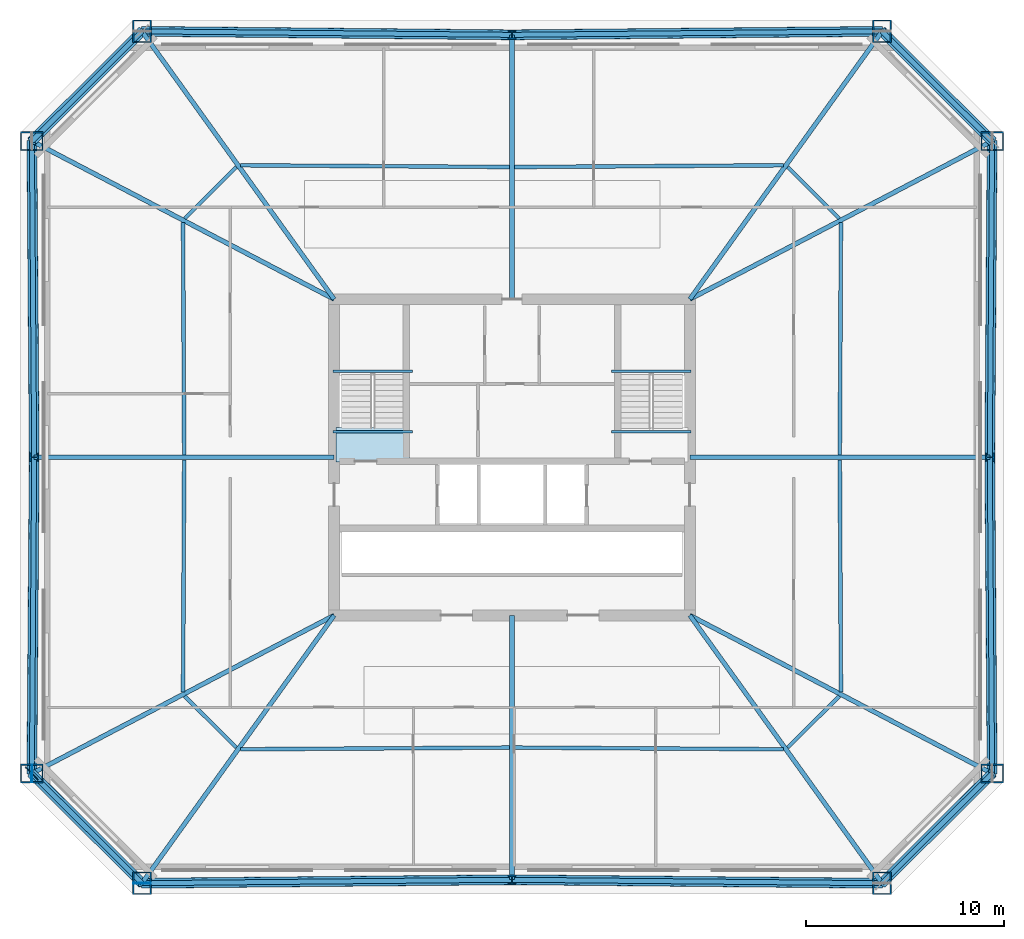
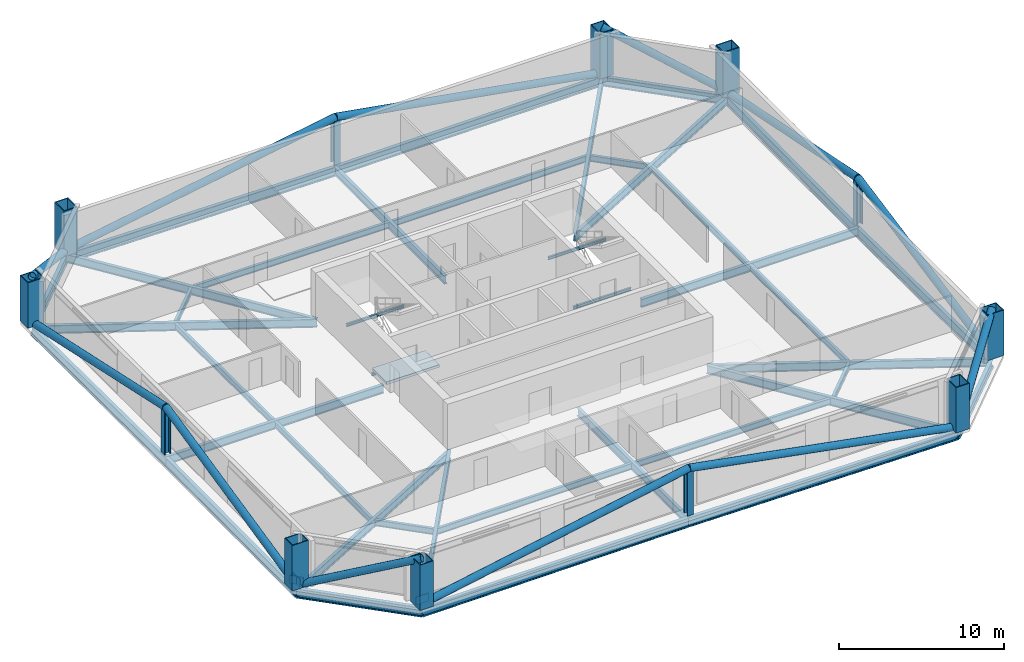
# One storey, part 1 of 6: 40 beams, 12 columns, 12 members, 3 plates, 1 slab, 1 element without a shape of its own.
"""IFC4 building model written with IfcOpenShell, lengths in metres."""

from ifc_helpers import new_model, si_unit, direction, frame, origin, origin_2d, place, context, subcontext, project, spatial, polyline, rectangle, hollow_rectangle, hollow_circle, i_section, outline, extrude, material, layer, layer_set, material_profile, profile_set, type_object, element, aggregate, save


model = new_model("IFC4")

# Units and contexts
model_context = context("Model", 3, precision=1e-05, world=origin(), true_north=direction((0.0, 1.0)))
body_context = subcontext(model_context, "Body", "Model", "MODEL_VIEW")
ifc_project = project(units=[si_unit("LENGTHUNIT", "METRE"), si_unit("AREAUNIT", "SQUARE_METRE"), si_unit("VOLUMEUNIT", "CUBIC_METRE"), si_unit("PLANEANGLEUNIT", "RADIAN"), si_unit("MASSUNIT", "GRAM", prefix="KILO")], contexts=[model_context])

# Site, building, storey
site_placement = place(None, origin())
site = spatial("IfcSite", under=ifc_project, at=site_placement, CompositionType="ELEMENT")
building_placement = place(site_placement, origin())
building = spatial("IfcBuilding", under=site, at=building_placement, Name="Caelvoria Tower", CompositionType="ELEMENT")
storey_placement = place(building_placement, frame((0.0, 0.0, 95.199951171875)))
storey = spatial("IfcBuildingStorey", under=building, at=storey_placement, Name="L24", CompositionType="ELEMENT", Elevation=95.199951171875)

# Columns
ifc_material_1 = material(Name="Structural Steel ASTM A572 Gr.50", Category="steel")
ifc_material_profile_1 = material_profile(ifc_material_1, hollow_rectangle(XDim=0.949951171875, YDim=1.14990234375, WallThickness=0.06005859375, at=origin_2d()), Name="Structural Steel ASTM A572 Gr.50")
ifc_profile_set_1 = profile_set([ifc_material_profile_1], Name="BOX1150X950X60 - Structural Steel ASTM A572 Gr.50")
column_type_1 = type_object("IfcColumnType", Name="Mega Box Column 1150x950x60", PredefinedType="COLUMN", material=ifc_profile_set_1)
for number, where, z_axis, x_axis, name in (
    (1, (27.272216796875, 10.443603515625, 0.0), (0.0, 0.0, 1.0), (1.0, 0.0, 0.0), "Perimeter Megaframe Column L24-P00"),
    (2, (64.727783203125, 10.443603515625, 0.0), (0.0, 0.0, 1.0), (1.0, 0.0, 0.0), "Perimeter Megaframe Column L24-P02"),
    (3, (70.298583984375, 15.99609375, 0.0), (0.0, 0.0, 1.0), (0.0, 1.0, 0.0), "Perimeter Megaframe Column L24-P03"),
    (4, (70.298583984375, 48.00390625, 0.0), (0.0, 0.0, 1.0), (0.0, 1.0, 0.0), "Perimeter Megaframe Column L24-P05"),
    (5, (64.727783203125, 53.556396484375, 0.0), (0.0, 0.0, 1.0), (1.0, 0.0, 0.0), "Perimeter Megaframe Column L24-P06"),
    (6, (27.272216796875, 53.556396484375, 0.0), (0.0, 0.0, 1.0), (1.0, 0.0, 0.0), "Perimeter Megaframe Column L24-P08"),
    (7, (21.701416015625, 48.00390625, 0.0), (0.0, 0.0, 1.0), (0.0, 1.0, 0.0), "Perimeter Megaframe Column L24-P09"),
    (8, (21.701416015625, 15.99609375, 0.0), (0.0, 0.0, 1.0), (0.0, 1.0, 0.0), "Perimeter Megaframe Column L24-P11"),
):
    element("IfcColumn", number, at=place(storey_placement, frame(where, z_axis=z_axis, x_axis=x_axis)), inside=storey, type_object=column_type_1, Name=name, PredefinedType="COLUMN", context=body_context, shape_type="SweptSolid", body=[
        extrude(hollow_rectangle(XDim=0.949951171875, YDim=1.14990234375, WallThickness=0.06005859375, at=origin_2d()), origin(), (0.0, 0.0, 1.0), 3.358154296875),
    ])
ifc_material_2 = material(Name="Structural Steel ASTM A913 Gr.65", Category="steel")
ifc_material_profile_2 = material_profile(ifc_material_2, i_section(OverallWidth=0.41796875, OverallDepth=0.455078125, WebThickness=0.0419921875, FlangeThickness=0.067626953125, FilletRadius=0.02490234375, at=origin_2d()), Name="Structural Steel ASTM A913 Gr.65")
ifc_profile_set_2 = profile_set([ifc_material_profile_2], Name="W360X551 - Structural Steel ASTM A913 Gr.65")
column_type_2 = type_object("IfcColumnType", Name="Mid Frame Column W360X551", PredefinedType="COLUMN", material=ifc_profile_set_2)
for number, where, z_axis, x_axis, name in (
    (9, (46.0, 10.6201171875, 0.0), (0.0, 0.0, 1.0), (1.0, 0.0, 0.0), "Perimeter Megaframe Column L24-P01"),
    (10, (70.179931640625, 32.0, 0.0), (0.0, 0.0, 1.0), (0.0, 1.0, 0.0), "Perimeter Megaframe Column L24-P04"),
    (11, (46.0, 53.3798828125, 0.0), (0.0, 0.0, 1.0), (1.0, 0.0, 0.0), "Perimeter Megaframe Column L24-P07"),
    (12, (21.820068359375, 32.0, 0.0), (0.0, 0.0, 1.0), (0.0, 1.0, 0.0), "Perimeter Megaframe Column L24-P10"),
):
    element("IfcColumn", number, at=place(storey_placement, frame(where, z_axis=z_axis, x_axis=x_axis)), inside=storey, type_object=column_type_2, Name=name, PredefinedType="COLUMN", context=body_context, shape_type="SweptSolid", body=[
        extrude(i_section(OverallWidth=0.41796875, OverallDepth=0.455078125, WebThickness=0.0419921875, FlangeThickness=0.067626953125, FilletRadius=0.02490234375, at=origin_2d()), origin(), (0.0, 0.0, 1.0), 3.358154296875),
    ])

# Beams
ifc_material_3 = material(Name="Structural Steel ASTM A992 Gr.50", Category="steel")
ifc_material_profile_3 = material_profile(ifc_material_3, i_section(OverallWidth=0.134033203125, OverallDepth=0.2099609375, WebThickness=0.00634765625, FlangeThickness=0.01025390625, FilletRadius=0.010009765625, at=origin_2d()), Name="Structural Steel ASTM A992 Gr.50")
ifc_profile_set_3 = profile_set([ifc_material_profile_3], Name="W200X31.3 - Structural Steel ASTM A992 Gr.50")
beam_type_1 = type_object("IfcBeamType", Name="Canopy Edge Trim Beam W200X31.3", PredefinedType="BEAM", material=ifc_profile_set_3)
for number, where, z_axis, x_axis, name in (
    (13, (36.929931640625, 36.35009765625, 1.4951171875), (1.0, 0.0, 0.0), (0.0, 1.0, 0.0), "ST-01 Half-Landing Support Beam L24"),
    (14, (36.929931640625, 33.300048828125, -0.304931640625), (1.0, 0.0, 0.0), (0.0, 1.0, 0.0), "ST-01 Floor-Landing Support Beam L24"),
    (15, (51.030029296875, 36.35009765625, 1.4951171875), (1.0, 0.0, 0.0), (0.0, 1.0, 0.0), "ST-02 Half-Landing Support Beam L24"),
    (16, (51.030029296875, 33.300048828125, -0.304931640625), (1.0, 0.0, 0.0), (0.0, 1.0, 0.0), "ST-02 Floor-Landing Support Beam L24"),
):
    element("IfcBeam", number, at=place(storey_placement, frame(where, z_axis=z_axis, x_axis=x_axis)), inside=storey, type_object=beam_type_1, Name=name, PredefinedType="BEAM", context=body_context, shape_type="SweptSolid", body=[
        extrude(i_section(OverallWidth=0.134033203125, OverallDepth=0.2099609375, WebThickness=0.00634765625, FlangeThickness=0.01025390625, FilletRadius=0.010009765625, at=origin_2d()), origin(), (0.0, 0.0, 1.0), 4.0400390625),
    ])

# Members
ifc_material_profile_4 = material_profile(ifc_material_1, hollow_circle(Radius=0.25390625, WallThickness=0.02001953125, at=origin_2d()), Name="Structural Steel ASTM A572 Gr.50")
ifc_profile_set_4 = profile_set([ifc_material_profile_4], Name="CHS508X20 - Structural Steel ASTM A572 Gr.50")
member_type = type_object("IfcMemberType", Name="Mid Perimeter Mega Brace CHS508X20", PredefinedType="BRACE", material=ifc_profile_set_4)
for number, where, z_axis, x_axis, name in (
    (17, (64.727783203125, 10.443603515625, 0.0), (0.651324965211, 0.649184139004, 0.392855881155), (-0.705941824609, 0.708269821656, 0.0), "Perimeter Chamfer Mega Brace L24 SE"),
    (18, (70.298583984375, 48.00390625, 0.0), (-0.651324965211, 0.649184139004, 0.392855881155), (-0.705941824609, -0.708269821656, 0.0), "Perimeter Chamfer Mega Brace L24 NE"),
    (19, (27.272216796875, 53.556396484375, 0.0), (-0.651324965211, -0.649184139004, 0.392855881155), (0.705941824609, -0.708269821656, 0.0), "Perimeter Chamfer Mega Brace L24 NW"),
    (20, (21.701416015625, 15.99609375, 0.0), (0.651324965211, -0.649184139004, 0.392855881155), (0.705941824609, 0.708269821656, 0.0), "Perimeter Chamfer Mega Brace L24 SW"),
):
    element("IfcMember", number, at=place(storey_placement, frame(where, z_axis=z_axis, x_axis=x_axis)), inside=storey, type_object=member_type, Name=name, PredefinedType="BRACE", context=body_context, shape_type="SweptSolid", body=[
        extrude(hollow_circle(Radius=0.25390625, WallThickness=0.02001953125, at=origin_2d()), origin(), (0.0, 0.0, 1.0), 8.552978515625),
    ])
for number, where, z_axis, x_axis, name in (
    (21, (27.272216796875, 10.443603515625, 0.0), (0.984240636902, 0.009276694788, 0.176590802718), (-0.009424811799, 0.999955585475, 0.0), "Perimeter Cardinal Mega Brace L24 SA"),
    (22, (64.727783203125, 10.443603515625, 0.0), (-0.984240636902, 0.009276694788, 0.176590802718), (-0.009424811799, -0.999955585475, 0.0), "Perimeter Cardinal Mega Brace L24 SB"),
):
    element("IfcMember", number, at=place(storey_placement, frame(where, z_axis=z_axis, x_axis=x_axis)), inside=storey, type_object=member_type, Name=name, PredefinedType="BRACE", context=body_context, shape_type="SweptSolid", body=[
        extrude(hollow_circle(Radius=0.25390625, WallThickness=0.02001953125, at=origin_2d()), origin(), (0.0, 0.0, 1.0), 19.027587890625),
    ])
for number, where, z_axis, x_axis, name in (
    (23, (70.298583984375, 15.99609375, 0.0), (-0.007255573296, 0.978636503475, 0.205470072573), (-0.999972517721, -0.007413757683, 0.0), "Perimeter Cardinal Mega Brace L24 EA"),
    (24, (70.298583984375, 48.00390625, 0.0), (-0.007255573296, -0.978636503475, 0.205470072573), (0.999972517721, -0.007413757683, 0.0), "Perimeter Cardinal Mega Brace L24 EB"),
):
    element("IfcMember", number, at=place(storey_placement, frame(where, z_axis=z_axis, x_axis=x_axis)), inside=storey, type_object=member_type, Name=name, PredefinedType="BRACE", context=body_context, shape_type="SweptSolid", body=[
        extrude(hollow_circle(Radius=0.25390625, WallThickness=0.02001953125, at=origin_2d()), origin(), (0.0, 0.0, 1.0), 16.353271484375),
    ])
for number, where, z_axis, x_axis, name in (
    (25, (64.727783203125, 53.556396484375, 0.0), (-0.984240636902, -0.009276694788, 0.176590802718), (0.009424811799, -0.999955585475, 0.0), "Perimeter Cardinal Mega Brace L24 NA"),
    (26, (27.272216796875, 53.556396484375, 0.0), (0.984240636902, -0.009276694788, 0.176590802718), (0.009424811799, 0.999955585475, 0.0), "Perimeter Cardinal Mega Brace L24 NB"),
):
    element("IfcMember", number, at=place(storey_placement, frame(where, z_axis=z_axis, x_axis=x_axis)), inside=storey, type_object=member_type, Name=name, PredefinedType="BRACE", context=body_context, shape_type="SweptSolid", body=[
        extrude(hollow_circle(Radius=0.25390625, WallThickness=0.02001953125, at=origin_2d()), origin(), (0.0, 0.0, 1.0), 19.027587890625),
    ])
for number, where, z_axis, x_axis, name in (
    (27, (21.701416015625, 48.00390625, 0.0), (0.007255573296, -0.978636503475, 0.205470072573), (0.999972517721, 0.007413757683, 0.0), "Perimeter Cardinal Mega Brace L24 WA"),
    (28, (21.701416015625, 15.99609375, 0.0), (0.007255573296, 0.978636503475, 0.205470072573), (-0.999972517721, 0.007413757683, 0.0), "Perimeter Cardinal Mega Brace L24 WB"),
):
    element("IfcMember", number, at=place(storey_placement, frame(where, z_axis=z_axis, x_axis=x_axis)), inside=storey, type_object=member_type, Name=name, PredefinedType="BRACE", context=body_context, shape_type="SweptSolid", body=[
        extrude(hollow_circle(Radius=0.25390625, WallThickness=0.02001953125, at=origin_2d()), origin(), (0.0, 0.0, 1.0), 16.353271484375),
    ])

# Beams
ifc_material_profile_5 = material_profile(ifc_material_3, i_section(OverallWidth=0.25390625, OverallDepth=0.68798828125, WebThickness=0.01318359375, FlangeThickness=0.02099609375, FilletRadius=0.01904296875, at=origin_2d()), Name="Structural Steel ASTM A992 Gr.50")
ifc_profile_set_5 = profile_set([ifc_material_profile_5], Name="W690X152 - Structural Steel ASTM A992 Gr.50")
beam_type_2 = type_object("IfcBeamType", Name="Perimeter Spandrel Girder W690X152", PredefinedType="BEAM", material=ifc_profile_set_5)
for number, where, z_axis, x_axis, name in (
    (29, (27.272216796875, 10.443603515625, -0.583984375), (0.999955585475, 0.009424811799, 0.0), (-0.009424811799, 0.999955585475, 0.0), "Perimeter Spandrel Girder L24-00"),
    (30, (46.0, 10.6201171875, -0.583984375), (0.999955585475, -0.009424811799, 0.0), (0.009424811799, 0.999955585475, 0.0), "Perimeter Spandrel Girder L24-01"),
):
    element("IfcBeam", number, at=place(storey_placement, frame(where, z_axis=z_axis, x_axis=x_axis)), inside=storey, type_object=beam_type_2, Name=name, PredefinedType="BEAM", context=body_context, shape_type="SweptSolid", body=[
        extrude(i_section(OverallWidth=0.25390625, OverallDepth=0.68798828125, WebThickness=0.01318359375, FlangeThickness=0.02099609375, FilletRadius=0.01904296875, at=origin_2d()), origin(), (0.0, 0.0, 1.0), 18.728515625),
    ])
beam_1_placement = place(storey_placement, frame((64.727783203125, 10.443603515625, -0.583984375), z_axis=(0.708269821656, 0.705941824609, 0.0), x_axis=(-0.705941824609, 0.708269821656, 0.0)))
element("IfcBeam", 31, at=beam_1_placement, inside=storey, type_object=beam_type_2, Name="Perimeter Spandrel Girder L24-02", PredefinedType="BEAM", context=body_context, shape_type="SweptSolid", body=[
    extrude(i_section(OverallWidth=0.25390625, OverallDepth=0.68798828125, WebThickness=0.01318359375, FlangeThickness=0.02099609375, FilletRadius=0.01904296875, at=origin_2d()), origin(), (0.0, 0.0, 1.0), 7.865478515625),
])
for number, where, z_axis, x_axis, name in (
    (32, (70.298583984375, 15.99609375, -0.583984375), (-0.007413757683, 0.999972517721, 0.0), (-0.999972517721, -0.007413757683, 0.0), "Perimeter Spandrel Girder L24-03"),
    (33, (70.179931640625, 32.0, -0.583984375), (0.007413757683, 0.999972517721, 0.0), (-0.999972517721, 0.007413757683, 0.0), "Perimeter Spandrel Girder L24-04"),
):
    element("IfcBeam", number, at=place(storey_placement, frame(where, z_axis=z_axis, x_axis=x_axis)), inside=storey, type_object=beam_type_2, Name=name, PredefinedType="BEAM", context=body_context, shape_type="SweptSolid", body=[
        extrude(i_section(OverallWidth=0.25390625, OverallDepth=0.68798828125, WebThickness=0.01318359375, FlangeThickness=0.02099609375, FilletRadius=0.01904296875, at=origin_2d()), origin(), (0.0, 0.0, 1.0), 16.00439453125),
    ])
beam_2_placement = place(storey_placement, frame((70.298583984375, 48.00390625, -0.583984375), z_axis=(-0.708269821656, 0.705941824609, 0.0), x_axis=(-0.705941824609, -0.708269821656, 0.0)))
element("IfcBeam", 34, at=beam_2_placement, inside=storey, type_object=beam_type_2, Name="Perimeter Spandrel Girder L24-05", PredefinedType="BEAM", context=body_context, shape_type="SweptSolid", body=[
    extrude(i_section(OverallWidth=0.25390625, OverallDepth=0.68798828125, WebThickness=0.01318359375, FlangeThickness=0.02099609375, FilletRadius=0.01904296875, at=origin_2d()), origin(), (0.0, 0.0, 1.0), 7.865478515625),
])
for number, where, z_axis, x_axis, name in (
    (35, (64.727783203125, 53.556396484375, -0.583984375), (-0.999955585475, -0.009424811799, 0.0), (0.009424811799, -0.999955585475, 0.0), "Perimeter Spandrel Girder L24-06"),
    (36, (46.0, 53.3798828125, -0.583984375), (-0.999955585475, 0.009424811799, 0.0), (-0.009424811799, -0.999955585475, 0.0), "Perimeter Spandrel Girder L24-07"),
):
    element("IfcBeam", number, at=place(storey_placement, frame(where, z_axis=z_axis, x_axis=x_axis)), inside=storey, type_object=beam_type_2, Name=name, PredefinedType="BEAM", context=body_context, shape_type="SweptSolid", body=[
        extrude(i_section(OverallWidth=0.25390625, OverallDepth=0.68798828125, WebThickness=0.01318359375, FlangeThickness=0.02099609375, FilletRadius=0.01904296875, at=origin_2d()), origin(), (0.0, 0.0, 1.0), 18.728515625),
    ])
beam_3_placement = place(storey_placement, frame((27.272216796875, 53.556396484375, -0.583984375), z_axis=(-0.708269821656, -0.705941824609, 0.0), x_axis=(0.705941824609, -0.708269821656, 0.0)))
element("IfcBeam", 37, at=beam_3_placement, inside=storey, type_object=beam_type_2, Name="Perimeter Spandrel Girder L24-08", PredefinedType="BEAM", context=body_context, shape_type="SweptSolid", body=[
    extrude(i_section(OverallWidth=0.25390625, OverallDepth=0.68798828125, WebThickness=0.01318359375, FlangeThickness=0.02099609375, FilletRadius=0.01904296875, at=origin_2d()), origin(), (0.0, 0.0, 1.0), 7.865478515625),
])
for number, where, z_axis, x_axis, name in (
    (38, (21.701416015625, 48.00390625, -0.583984375), (0.007413757683, -0.999972517721, 0.0), (0.999972517721, 0.007413757683, 0.0), "Perimeter Spandrel Girder L24-09"),
    (39, (21.820068359375, 32.0, -0.583984375), (-0.007413757683, -0.999972517721, 0.0), (0.999972517721, -0.007413757683, 0.0), "Perimeter Spandrel Girder L24-10"),
):
    element("IfcBeam", number, at=place(storey_placement, frame(where, z_axis=z_axis, x_axis=x_axis)), inside=storey, type_object=beam_type_2, Name=name, PredefinedType="BEAM", context=body_context, shape_type="SweptSolid", body=[
        extrude(i_section(OverallWidth=0.25390625, OverallDepth=0.68798828125, WebThickness=0.01318359375, FlangeThickness=0.02099609375, FilletRadius=0.01904296875, at=origin_2d()), origin(), (0.0, 0.0, 1.0), 16.00439453125),
    ])
beam_4_placement = place(storey_placement, frame((21.701416015625, 15.99609375, -0.583984375), z_axis=(0.708269821656, -0.705941824609, 0.0), x_axis=(0.705941824609, 0.708269821656, 0.0)))
element("IfcBeam", 40, at=beam_4_placement, inside=storey, type_object=beam_type_2, Name="Perimeter Spandrel Girder L24-11", PredefinedType="BEAM", context=body_context, shape_type="SweptSolid", body=[
    extrude(i_section(OverallWidth=0.25390625, OverallDepth=0.68798828125, WebThickness=0.01318359375, FlangeThickness=0.02099609375, FilletRadius=0.01904296875, at=origin_2d()), origin(), (0.0, 0.0, 1.0), 7.865478515625),
])
ifc_material_profile_6 = material_profile(ifc_material_3, i_section(OverallWidth=0.22900390625, OverallDepth=0.612060546875, WebThickness=0.011962890625, FlangeThickness=0.01953125, FilletRadius=0.01806640625, at=origin_2d()), Name="Structural Steel ASTM A992 Gr.50")
ifc_profile_set_6 = profile_set([ifc_material_profile_6], Name="W610X125 - Structural Steel ASTM A992 Gr.50")
beam_type_3 = type_object("IfcBeamType", Name="Primary Radial Floor Girder W610X125", PredefinedType="BEAM", material=ifc_profile_set_6)
beam_5_placement = place(storey_placement, frame((37.0, 24.0, -0.5458984375), z_axis=(-0.583008463656, -0.812466080096, 0.0), x_axis=(0.812466080096, -0.583008463656, 0.0)))
element("IfcBeam", 41, at=beam_5_placement, inside=storey, type_object=beam_type_3, Name="Primary Floor Girder L24-00", PredefinedType="BEAM", context=body_context, shape_type="SweptSolid", body=[
    extrude(i_section(OverallWidth=0.22900390625, OverallDepth=0.612060546875, WebThickness=0.011962890625, FlangeThickness=0.01953125, FilletRadius=0.01806640625, at=origin_2d()), origin(), (0.0, 0.0, 1.0), 16.685546875),
])
beam_6_placement = place(storey_placement, frame((46.0, 24.0, -0.5458984375), z_axis=(0.0, -1.0, 0.0), x_axis=(1.0, 0.0, 0.0)))
element("IfcBeam", 42, at=beam_6_placement, inside=storey, type_object=beam_type_3, Name="Primary Floor Girder L24-01", PredefinedType="BEAM", context=body_context, shape_type="SweptSolid", body=[
    extrude(i_section(OverallWidth=0.22900390625, OverallDepth=0.612060546875, WebThickness=0.011962890625, FlangeThickness=0.01953125, FilletRadius=0.01806640625, at=origin_2d()), origin(), (0.0, 0.0, 1.0), 13.3798828125),
])
beam_7_placement = place(storey_placement, frame((55.0, 24.0, -0.5458984375), z_axis=(0.583008463656, -0.812466080096, 0.0), x_axis=(0.812466080096, 0.583008463656, 0.0)))
element("IfcBeam", 43, at=beam_7_placement, inside=storey, type_object=beam_type_3, Name="Primary Floor Girder L24-02", PredefinedType="BEAM", context=body_context, shape_type="SweptSolid", body=[
    extrude(i_section(OverallWidth=0.22900390625, OverallDepth=0.612060546875, WebThickness=0.011962890625, FlangeThickness=0.01953125, FilletRadius=0.01806640625, at=origin_2d()), origin(), (0.0, 0.0, 1.0), 16.685546875),
])
beam_8_placement = place(storey_placement, frame((55.0, 24.0, -0.5458984375), z_axis=(0.886060863891, -0.46356892204, 0.0), x_axis=(0.46356892204, 0.886060863891, 0.0)))
element("IfcBeam", 44, at=beam_8_placement, inside=storey, type_object=beam_type_3, Name="Primary Floor Girder L24-03", PredefinedType="BEAM", context=body_context, shape_type="SweptSolid", body=[
    extrude(i_section(OverallWidth=0.22900390625, OverallDepth=0.612060546875, WebThickness=0.011962890625, FlangeThickness=0.01953125, FilletRadius=0.01806640625, at=origin_2d()), origin(), (0.0, 0.0, 1.0), 17.265869140625),
])
beam_9_placement = place(storey_placement, frame((55.0, 32.0, -0.5458984375), z_axis=(1.0, 0.0, 0.0), x_axis=(0.0, 1.0, 0.0)))
element("IfcBeam", 45, at=beam_9_placement, inside=storey, type_object=beam_type_3, Name="Primary Floor Girder L24-04", PredefinedType="BEAM", context=body_context, shape_type="SweptSolid", body=[
    extrude(i_section(OverallWidth=0.22900390625, OverallDepth=0.612060546875, WebThickness=0.011962890625, FlangeThickness=0.01953125, FilletRadius=0.01806640625, at=origin_2d()), origin(), (0.0, 0.0, 1.0), 15.179931640625),
])
beam_10_placement = place(storey_placement, frame((55.0, 40.0, -0.5458984375), z_axis=(0.886060863891, 0.46356892204, 0.0), x_axis=(-0.46356892204, 0.886060863891, 0.0)))
element("IfcBeam", 46, at=beam_10_placement, inside=storey, type_object=beam_type_3, Name="Primary Floor Girder L24-05", PredefinedType="BEAM", context=body_context, shape_type="SweptSolid", body=[
    extrude(i_section(OverallWidth=0.22900390625, OverallDepth=0.612060546875, WebThickness=0.011962890625, FlangeThickness=0.01953125, FilletRadius=0.01806640625, at=origin_2d()), origin(), (0.0, 0.0, 1.0), 17.265869140625),
])
beam_11_placement = place(storey_placement, frame((55.0, 40.0, -0.5458984375), z_axis=(0.583008463656, 0.812466080096, 0.0), x_axis=(-0.812466080096, 0.583008463656, 0.0)))
element("IfcBeam", 47, at=beam_11_placement, inside=storey, type_object=beam_type_3, Name="Primary Floor Girder L24-06", PredefinedType="BEAM", context=body_context, shape_type="SweptSolid", body=[
    extrude(i_section(OverallWidth=0.22900390625, OverallDepth=0.612060546875, WebThickness=0.011962890625, FlangeThickness=0.01953125, FilletRadius=0.01806640625, at=origin_2d()), origin(), (0.0, 0.0, 1.0), 16.685546875),
])
beam_12_placement = place(storey_placement, frame((46.0, 40.0, -0.5458984375), z_axis=(0.0, 1.0, 0.0), x_axis=(-1.0, 0.0, 0.0)))
element("IfcBeam", 48, at=beam_12_placement, inside=storey, type_object=beam_type_3, Name="Primary Floor Girder L24-07", PredefinedType="BEAM", context=body_context, shape_type="SweptSolid", body=[
    extrude(i_section(OverallWidth=0.22900390625, OverallDepth=0.612060546875, WebThickness=0.011962890625, FlangeThickness=0.01953125, FilletRadius=0.01806640625, at=origin_2d()), origin(), (0.0, 0.0, 1.0), 13.3798828125),
])
beam_13_placement = place(storey_placement, frame((37.0, 40.0, -0.5458984375), z_axis=(-0.583008463656, 0.812466080096, 0.0), x_axis=(-0.812466080096, -0.583008463656, 0.0)))
element("IfcBeam", 49, at=beam_13_placement, inside=storey, type_object=beam_type_3, Name="Primary Floor Girder L24-08", PredefinedType="BEAM", context=body_context, shape_type="SweptSolid", body=[
    extrude(i_section(OverallWidth=0.22900390625, OverallDepth=0.612060546875, WebThickness=0.011962890625, FlangeThickness=0.01953125, FilletRadius=0.01806640625, at=origin_2d()), origin(), (0.0, 0.0, 1.0), 16.685546875),
])
beam_14_placement = place(storey_placement, frame((37.0, 40.0, -0.5458984375), z_axis=(-0.886060863891, 0.46356892204, 0.0), x_axis=(-0.46356892204, -0.886060863891, 0.0)))
element("IfcBeam", 50, at=beam_14_placement, inside=storey, type_object=beam_type_3, Name="Primary Floor Girder L24-09", PredefinedType="BEAM", context=body_context, shape_type="SweptSolid", body=[
    extrude(i_section(OverallWidth=0.22900390625, OverallDepth=0.612060546875, WebThickness=0.011962890625, FlangeThickness=0.01953125, FilletRadius=0.01806640625, at=origin_2d()), origin(), (0.0, 0.0, 1.0), 17.265869140625),
])
beam_15_placement = place(storey_placement, frame((37.0, 32.0, -0.5458984375), z_axis=(-1.0, 0.0, 0.0), x_axis=(0.0, -1.0, 0.0)))
element("IfcBeam", 51, at=beam_15_placement, inside=storey, type_object=beam_type_3, Name="Primary Floor Girder L24-10", PredefinedType="BEAM", context=body_context, shape_type="SweptSolid", body=[
    extrude(i_section(OverallWidth=0.22900390625, OverallDepth=0.612060546875, WebThickness=0.011962890625, FlangeThickness=0.01953125, FilletRadius=0.01806640625, at=origin_2d()), origin(), (0.0, 0.0, 1.0), 15.179931640625),
])
beam_16_placement = place(storey_placement, frame((37.0, 24.0, -0.5458984375), z_axis=(-0.886060863891, -0.46356892204, 0.0), x_axis=(0.46356892204, -0.886060863891, 0.0)))
element("IfcBeam", 52, at=beam_16_placement, inside=storey, type_object=beam_type_3, Name="Primary Floor Girder L24-11", PredefinedType="BEAM", context=body_context, shape_type="SweptSolid", body=[
    extrude(i_section(OverallWidth=0.22900390625, OverallDepth=0.612060546875, WebThickness=0.011962890625, FlangeThickness=0.01953125, FilletRadius=0.01806640625, at=origin_2d()), origin(), (0.0, 0.0, 1.0), 17.265869140625),
])
ifc_material_profile_7 = material_profile(ifc_material_3, i_section(OverallWidth=0.18994140625, OverallDepth=0.45703125, WebThickness=0.009033203125, FlangeThickness=0.014404296875, FilletRadius=0.014892578125, at=origin_2d()), Name="Structural Steel ASTM A992 Gr.50")
ifc_profile_set_7 = profile_set([ifc_material_profile_7], Name="W460X74 - Structural Steel ASTM A992 Gr.50")
beam_type_4 = type_object("IfcBeamType", Name="Secondary Floor Beam W460X74", PredefinedType="BEAM", material=ifc_profile_set_7)
for number, where, z_axis, x_axis, name in (
    (53, (32.260986328125, 17.22265625, -0.468505859375), (0.999979850181, 0.006348167548, 0.0), (-0.006348167548, 0.999979850181, 0.0), "Secondary Floor Beam L24-00"),
    (54, (46.125, 17.30908203125, -0.468505859375), (0.999979850181, -0.006348167548, 0.0), (0.006348167548, 0.999979850181, 0.0), "Secondary Floor Beam L24-01"),
):
    element("IfcBeam", number, at=place(storey_placement, frame(where, z_axis=z_axis, x_axis=x_axis)), inside=storey, type_object=beam_type_4, Name=name, PredefinedType="BEAM", context=body_context, shape_type="SweptSolid", body=[
        extrude(i_section(OverallWidth=0.18994140625, OverallDepth=0.45703125, WebThickness=0.009033203125, FlangeThickness=0.014404296875, FilletRadius=0.014892578125, at=origin_2d()), origin(), (0.0, 0.0, 1.0), 13.6142578125),
    ])
beam_17_placement = place(storey_placement, frame((59.952392578125, 17.31005859375, -0.468505859375), z_axis=(0.708265943145, 0.705945715888, 0.0), x_axis=(-0.705945715888, 0.708265943145, 0.0)))
element("IfcBeam", 55, at=beam_17_placement, inside=storey, type_object=beam_type_4, Name="Secondary Floor Beam L24-02", PredefinedType="BEAM", context=body_context, shape_type="SweptSolid", body=[
    extrude(i_section(OverallWidth=0.18994140625, OverallDepth=0.45703125, WebThickness=0.009033203125, FlangeThickness=0.014404296875, FilletRadius=0.014892578125, at=origin_2d()), origin(), (0.0, 0.0, 1.0), 3.682861328125),
])
for number, where, z_axis, x_axis, name in (
    (56, (62.648681640625, 20.123046875, -0.468505859375), (-0.00494426398, 0.999987777052, 0.0), (-0.999987777052, -0.00494426398, 0.0), "Secondary Floor Beam L24-03"),
    (57, (62.590576171875, 32.125, -0.468505859375), (0.00494426398, 0.999987777052, 0.0), (-0.999987777052, 0.00494426398, 0.0), "Secondary Floor Beam L24-04"),
):
    element("IfcBeam", number, at=place(storey_placement, frame(where, z_axis=z_axis, x_axis=x_axis)), inside=storey, type_object=beam_type_4, Name=name, PredefinedType="BEAM", context=body_context, shape_type="SweptSolid", body=[
        extrude(i_section(OverallWidth=0.18994140625, OverallDepth=0.45703125, WebThickness=0.009033203125, FlangeThickness=0.014404296875, FilletRadius=0.014892578125, at=origin_2d()), origin(), (0.0, 0.0, 1.0), 11.752197265625),
    ])
beam_18_placement = place(storey_placement, frame((62.560791015625, 44.090087890625, -0.468505859375), z_axis=(-0.708265943145, 0.705945715888, 0.0), x_axis=(-0.705945715888, -0.708265943145, 0.0)))
element("IfcBeam", 58, at=beam_18_placement, inside=storey, type_object=beam_type_4, Name="Secondary Floor Beam L24-05", PredefinedType="BEAM", context=body_context, shape_type="SweptSolid", body=[
    extrude(i_section(OverallWidth=0.18994140625, OverallDepth=0.45703125, WebThickness=0.009033203125, FlangeThickness=0.014404296875, FilletRadius=0.014892578125, at=origin_2d()), origin(), (0.0, 0.0, 1.0), 3.682861328125),
])
for number, where, z_axis, x_axis, name in (
    (59, (59.739013671875, 46.77734375, -0.468505859375), (-0.999979850181, -0.006348167548, 0.0), (0.006348167548, -0.999979850181, 0.0), "Secondary Floor Beam L24-06"),
    (60, (45.875, 46.69091796875, -0.468505859375), (-0.999979850181, 0.006348167548, 0.0), (-0.006348167548, -0.999979850181, 0.0), "Secondary Floor Beam L24-07"),
):
    element("IfcBeam", number, at=place(storey_placement, frame(where, z_axis=z_axis, x_axis=x_axis)), inside=storey, type_object=beam_type_4, Name=name, PredefinedType="BEAM", context=body_context, shape_type="SweptSolid", body=[
        extrude(i_section(OverallWidth=0.18994140625, OverallDepth=0.45703125, WebThickness=0.009033203125, FlangeThickness=0.014404296875, FilletRadius=0.014892578125, at=origin_2d()), origin(), (0.0, 0.0, 1.0), 13.6142578125),
    ])
beam_19_placement = place(storey_placement, frame((32.047607421875, 46.68994140625, -0.468505859375), z_axis=(-0.708265943145, -0.705945715888, 0.0), x_axis=(0.705945715888, -0.708265943145, 0.0)))
element("IfcBeam", 61, at=beam_19_placement, inside=storey, type_object=beam_type_4, Name="Secondary Floor Beam L24-08", PredefinedType="BEAM", context=body_context, shape_type="SweptSolid", body=[
    extrude(i_section(OverallWidth=0.18994140625, OverallDepth=0.45703125, WebThickness=0.009033203125, FlangeThickness=0.014404296875, FilletRadius=0.014892578125, at=origin_2d()), origin(), (0.0, 0.0, 1.0), 3.682861328125),
])
for number, where, z_axis, x_axis, name in (
    (62, (29.351318359375, 43.876953125, -0.468505859375), (0.00494426398, -0.999987777052, 0.0), (0.999987777052, 0.00494426398, 0.0), "Secondary Floor Beam L24-09"),
    (63, (29.409423828125, 31.875, -0.468505859375), (-0.00494426398, -0.999987777052, 0.0), (0.999987777052, -0.00494426398, 0.0), "Secondary Floor Beam L24-10"),
):
    element("IfcBeam", number, at=place(storey_placement, frame(where, z_axis=z_axis, x_axis=x_axis)), inside=storey, type_object=beam_type_4, Name=name, PredefinedType="BEAM", context=body_context, shape_type="SweptSolid", body=[
        extrude(i_section(OverallWidth=0.18994140625, OverallDepth=0.45703125, WebThickness=0.009033203125, FlangeThickness=0.014404296875, FilletRadius=0.014892578125, at=origin_2d()), origin(), (0.0, 0.0, 1.0), 11.752197265625),
    ])
beam_20_placement = place(storey_placement, frame((29.439208984375, 19.909912109375, -0.468505859375), z_axis=(0.708265943145, -0.705945715888, 0.0), x_axis=(0.705945715888, 0.708265943145, 0.0)))
element("IfcBeam", 64, at=beam_20_placement, inside=storey, type_object=beam_type_4, Name="Secondary Floor Beam L24-11", PredefinedType="BEAM", context=body_context, shape_type="SweptSolid", body=[
    extrude(i_section(OverallWidth=0.18994140625, OverallDepth=0.45703125, WebThickness=0.009033203125, FlangeThickness=0.014404296875, FilletRadius=0.014892578125, at=origin_2d()), origin(), (0.0, 0.0, 1.0), 3.682861328125),
])

# Plates
ifc_layer_1 = layer(ifc_material_1, 0.0400390625, Name="Structural Steel ASTM A572 Gr.50")
ifc_layer_set_1 = layer_set([ifc_layer_1], Name="Megaframe Node Gusset Plate 900x600x40 - Structural Steel ASTM A572 Gr.50")
plate_type = type_object("IfcPlateType", Name="Megaframe Node Gusset Plate 900x600x40", PredefinedType="USERDEFINED", material=ifc_layer_set_1)
for number, where, z_axis, x_axis, name in (
    (65, (21.701416015625, 15.99609375, 0.02001953125), (0.0, 0.0, 1.0), (0.708275771936, -0.705935854656, 0.0), "Chamfer Mega Brace Gusset L24 SW"),
    (66, (27.272216796875, 10.443603515625, 0.050048828125), (0.0, 0.0, 1.0), (0.999955587109, 0.009424638433, 0.0), "Megaframe Node Gusset Plate ND-01"),
    (67, (21.701416015625, 15.99609375, 0.050048828125), (0.0, 0.0, 1.0), (0.007415836018, 0.99997250231, 0.0), "Megaframe Node Gusset Plate ND-01"),
):
    element("IfcPlate", number, at=place(storey_placement, frame(where, z_axis=z_axis, x_axis=x_axis)), inside=storey, type_object=plate_type, Name=name, ObjectType="GUSSET_PLATE", PredefinedType="USERDEFINED", context=body_context, shape_type="SweptSolid", body=[
        extrude(rectangle(XDim=0.89990234375, YDim=0.0400390625, at=origin_2d()), origin(), (0.0, 0.0, 1.0), 0.60009765625),
    ])

# Stair, slab
ifc_material_4 = material(Name="Concrete C40/50", Category="concrete")
stair_type = type_object("IfcStairType", Name="Core Smokeproof Dogleg Stair Concrete C40/50", PredefinedType="HALF_TURN_STAIR", material=ifc_material_4)
stair_placement = place(storey_placement, origin())
stair = element("IfcStair", 68, at=stair_placement, inside=storey, type_object=stair_type, Name="ST-01 Smokeproof Exit Stair L24", PredefinedType="HALF_TURN_STAIR")
ifc_layer_2 = layer(ifc_material_4, 0.199951171875, Name="Concrete C40/50")
ifc_layer_set_2 = layer_set([ifc_layer_2], Name="Stair Half and Floor Landing Slab 200 Concrete C40/50 - Concrete C40/50")
slab_type = type_object("IfcSlabType", Name="Stair Half and Floor Landing Slab 200 Concrete C40/50", PredefinedType="LANDING", material=ifc_layer_set_2)
slab_placement = place(storey_placement, frame((0.0, 0.0, -0.199951171875)))
slab = element("IfcSlab", 69, at=slab_placement, type_object=slab_type, Name="ST-01 landing 1", PredefinedType="LANDING", context=body_context, shape_type="SweptSolid", body=[
    extrude(outline(polyline([(37.10009765625, 31.77001953125), (40.800048828125, 31.77001953125), (40.800048828125, 33.5), (37.10009765625, 33.5), (37.10009765625, 31.77001953125)])), origin(), (0.0, 0.0, 1.0), 0.199951171875),
])
aggregate(stair, [slab])

save(model, "model.ifc")
